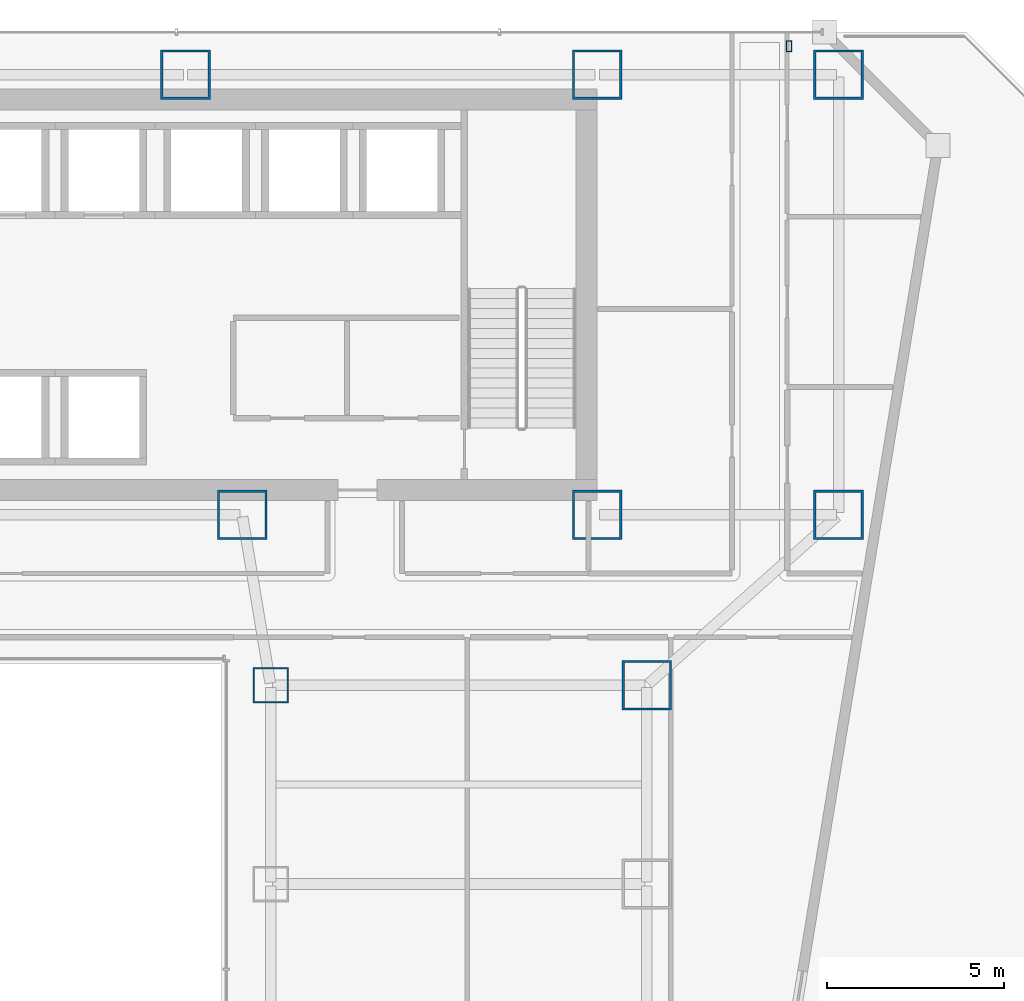
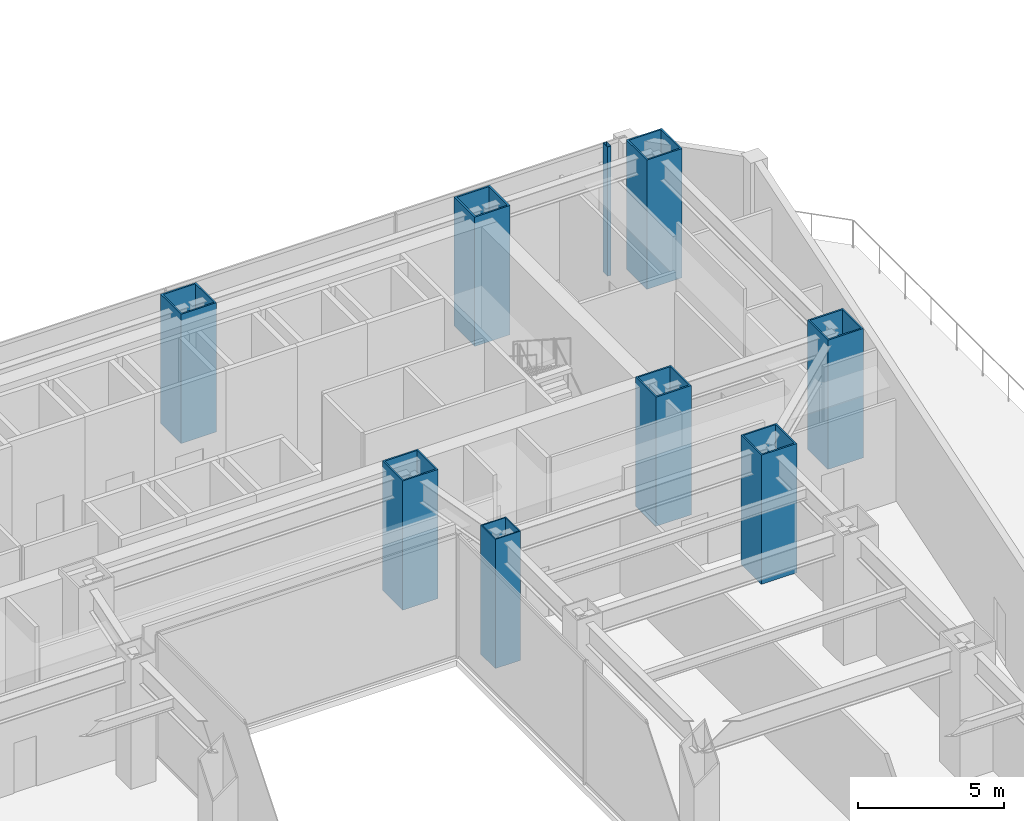
# One storey, part 3 of 29: 9 columns.
"""IFC4 building model written with IfcOpenShell, lengths in metres."""

from ifc_helpers import new_model, si_unit, direction, frame, origin, origin_2d, place, context, subcontext, project, spatial, hollow_rectangle, extrude, material, material_profile, profile_set, type_object, element, save


model = new_model("IFC4")

# Units and contexts
model_context = context("Model", 3, precision=1e-05, world=origin(), true_north=direction((0.0, 1.0)))
body_context = subcontext(model_context, "Body", "Model", "MODEL_VIEW")
ifc_project = project(units=[si_unit("LENGTHUNIT", "METRE"), si_unit("AREAUNIT", "SQUARE_METRE"), si_unit("VOLUMEUNIT", "CUBIC_METRE"), si_unit("PLANEANGLEUNIT", "RADIAN"), si_unit("MASSUNIT", "GRAM", prefix="KILO")], contexts=[model_context])

# Site, building, storey
site_placement = place(None, origin())
site = spatial("IfcSite", under=ifc_project, at=site_placement, CompositionType="ELEMENT")
building_placement = place(site_placement, origin())
building = spatial("IfcBuilding", under=site, at=building_placement, Name="Saevonmaru Cultural Tower", CompositionType="ELEMENT")
storey_placement = place(building_placement, frame((0.0, 0.0, 27.60009765625)))
storey = spatial("IfcBuildingStorey", under=building, at=storey_placement, Name="L05", CompositionType="ELEMENT", Elevation=27.60009765625)

# Columns
ifc_material_1 = material(Name="Steel SM420", Category="steel")
ifc_material_profile_1 = material_profile(ifc_material_1, hollow_rectangle(XDim=1.0, YDim=1.0, WallThickness=0.044921875, at=origin_2d()), Name="BOX-1000x1000x45")
ifc_profile_set_1 = profile_set([ifc_material_profile_1], Name="Steel SM420")
column_type_1 = type_object("IfcColumnType", Name="COL-BOX-1000", PredefinedType="COLUMN", material=ifc_profile_set_1)
column_1_placement = place(storey_placement, frame((37.199951171875, 37.60009765625, 0.0), z_axis=(0.0, 0.0, 1.0), x_axis=(1.0, 0.0, 0.0)))
element("IfcColumn", 1, at=column_1_placement, inside=storey, type_object=column_type_1, Name="L05 Column PC-E2-F", PredefinedType="COLUMN", context=body_context, shape_type="SweptSolid", body=[
    extrude(hollow_rectangle(XDim=1.0, YDim=1.0, WallThickness=0.044921875, at=origin_2d()), origin(), (0.0, 0.0, 1.0), 5.39990234375),
])
ifc_material_2 = material(Name="Steel HSA600 (600 MPa)", Category="steel")
ifc_material_profile_2 = material_profile(ifc_material_2, hollow_rectangle(XDim=1.39990234375, YDim=1.39990234375, WallThickness=0.06494140625, at=origin_2d()), Name="BOX-1400x1400x65")
ifc_profile_set_2 = profile_set([ifc_material_profile_2], Name="Steel HSA600 (600 MPa)")
column_type_2 = type_object("IfcColumnType", Name="COL-BOX-1400", PredefinedType="COLUMN", material=ifc_profile_set_2)
for number, where, z_axis, x_axis, name in (
    (2, (34.800048828125, 54.800048828125, 0.0), (0.0, 0.0, 1.0), (1.0, 0.0, 0.0), "L05 Column TC-N4N"),
    (3, (46.39990234375, 54.800048828125, 0.0), (0.0, 0.0, 1.0), (1.0, 0.0, 0.0), "L05 Column TC-N5N"),
    (4, (53.199951171875, 54.800048828125, 0.0), (0.0, 0.0, 1.0), (1.0, 0.0, 0.0), "L05 Column TC-N6N"),
    (5, (36.39990234375, 42.39990234375, 0.0), (0.0, 0.0, 1.0), (1.0, 0.0, 0.0), "L05 Column TC-S4C"),
    (6, (46.39990234375, 42.39990234375, 0.0), (0.0, 0.0, 1.0), (1.0, 0.0, 0.0), "L05 Column TC-S5C"),
    (7, (53.199951171875, 42.39990234375, 0.0), (0.0, 0.0, 1.0), (1.0, 0.0, 0.0), "L05 Column TC-S6C"),
    (8, (47.800048828125, 37.60009765625, 0.0), (0.0, 0.0, 1.0), (1.0, 0.0, 0.0), "L05 Column PC-E1-F"),
):
    element("IfcColumn", number, at=place(storey_placement, frame(where, z_axis=z_axis, x_axis=x_axis)), inside=storey, type_object=column_type_2, Name=name, PredefinedType="COLUMN", context=body_context, shape_type="SweptSolid", body=[
        extrude(hollow_rectangle(XDim=1.39990234375, YDim=1.39990234375, WallThickness=0.06494140625, at=origin_2d()), origin(), (0.0, 0.0, 1.0), 5.39990234375),
    ])
ifc_material_3 = material(Name="Steel SM355", Category="steel")
ifc_material_profile_3 = material_profile(ifc_material_3, hollow_rectangle(XDim=0.14990234375, YDim=0.300048828125, WallThickness=0.010009765625, at=origin_2d()), Name="RHS-300x150x10")
ifc_profile_set_3 = profile_set([ifc_material_profile_3], Name="Steel SM355")
column_type_3 = type_object("IfcColumnType", Name="PIL-RHS-300", PredefinedType="PILASTER", material=ifc_profile_set_3)
column_2_placement = place(storey_placement, frame((51.800048828125, 55.60009765625, 0.0), z_axis=(0.0, 0.0, 1.0), x_axis=(1.0, 0.0, 0.0)))
element("IfcColumn", 9, at=column_2_placement, inside=storey, type_object=column_type_3, Name="L05 Art Deco Bronze-Clad Pilaster PIL-NE", PredefinedType="PILASTER", context=body_context, shape_type="SweptSolid", body=[
    extrude(hollow_rectangle(XDim=0.14990234375, YDim=0.300048828125, WallThickness=0.010009765625, at=origin_2d()), origin(), (0.0, 0.0, 1.0), 5.39990234375),
])

save(model, "model.ifc")
